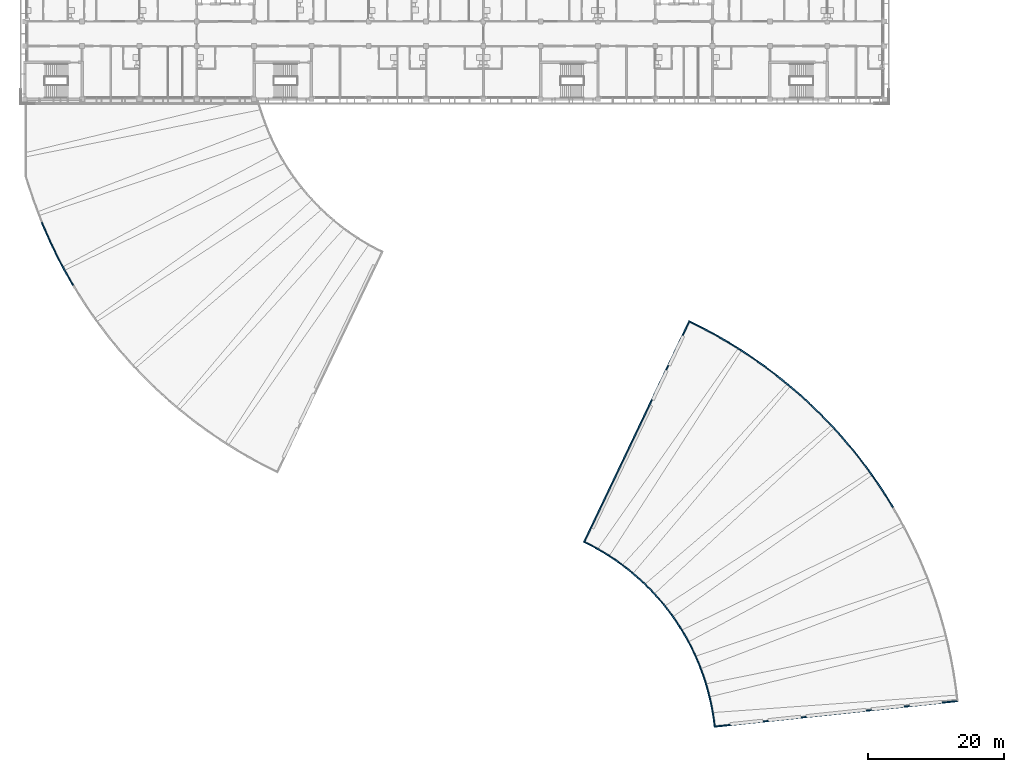
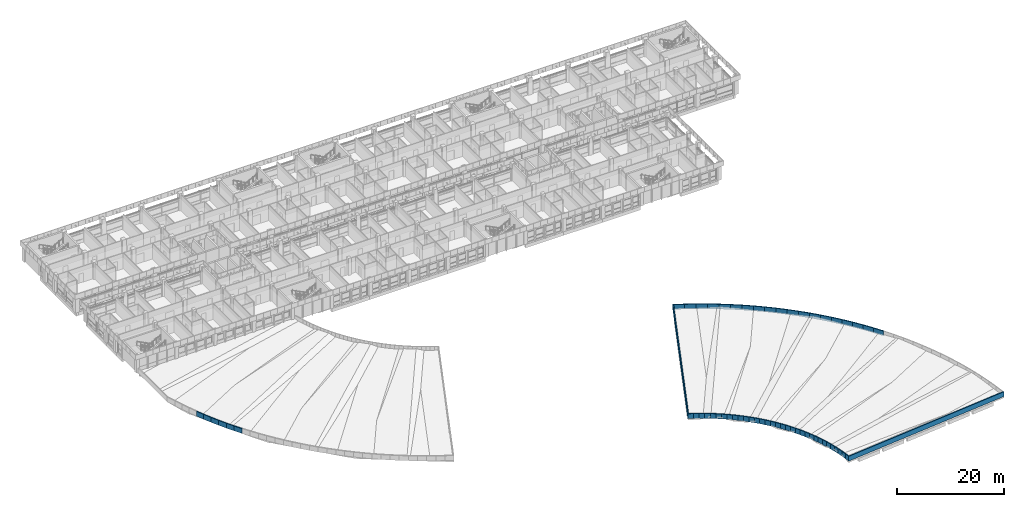
# One storey, part 28 of 74: 60 walls.
"""IFC4 building model written with IfcOpenShell, lengths in metres."""

from ifc_helpers import new_model, si_unit, direction, frame, origin, place, context, subcontext, project, spatial, polyline, outline, extrude, material, layer, layer_set, type_object, element, save


model = new_model("IFC4")

# Units and contexts
model_context = context("Model", 3, precision=1e-05, world=origin(), true_north=direction((0.0, 1.0)))
body_context = subcontext(model_context, "Body", "Model", "MODEL_VIEW")
ifc_project = project(units=[si_unit("LENGTHUNIT", "METRE"), si_unit("AREAUNIT", "SQUARE_METRE"), si_unit("VOLUMEUNIT", "CUBIC_METRE"), si_unit("PLANEANGLEUNIT", "RADIAN"), si_unit("MASSUNIT", "GRAM", prefix="KILO")], contexts=[model_context])

# Site, building, storey
site_placement = place(None, origin())
site = spatial("IfcSite", under=ifc_project, at=site_placement, CompositionType="ELEMENT")
building_placement = place(site_placement, origin())
building = spatial("IfcBuilding", under=site, at=building_placement, Name="Bougainvillea Quay General Hospital", CompositionType="ELEMENT")
storey_placement = place(building_placement, frame((0.0, 0.0, 21.0)))
storey = spatial("IfcBuildingStorey", under=building, at=storey_placement, Name="L04", CompositionType="ELEMENT", Elevation=21.0)

# Walls
ifc_material = material(Name="Concrete C35 upstand, painted white", Category="concrete")
ifc_layer = layer(ifc_material, 0.199951171875)
ifc_layer_set = layer_set([ifc_layer], Name="Concrete C35 upstand, painted white")
wall_type = type_object("IfcWallType", Name="Roof parapet wall 200", PredefinedType="PARAPET", material=ifc_layer_set)
wall_1_placement = place(storey_placement, origin())
element("IfcWall", 1, at=wall_1_placement, inside=storey, type_object=wall_type, Name="Roof parapet 0 48", PredefinedType="PARAPET", context=body_context, shape_type="SweptSolid", body=[
    extrude(outline(polyline([(45.255126953125, 98.01513671875), (45.072021484375, 97.93505859375), (44.402099609375, 99.52001953125), (44.587158203125, 99.595703125), (45.255126953125, 98.01513671875)])), origin(), (0.0, 0.0, 1.0), 1.10009765625),
])
wall_2_placement = place(storey_placement, origin())
element("IfcWall", 2, at=wall_2_placement, inside=storey, type_object=wall_type, Name="Roof parapet 0 49", PredefinedType="PARAPET", context=body_context, shape_type="SweptSolid", body=[
    extrude(outline(polyline([(45.963134765625, 96.45068359375), (45.781982421875, 96.365966796875), (45.072021484375, 97.93505859375), (45.255126953125, 98.01513671875), (45.963134765625, 96.45068359375)])), origin(), (0.0, 0.0, 1.0), 1.10009765625),
])
wall_3_placement = place(storey_placement, origin())
element("IfcWall", 3, at=wall_3_placement, inside=storey, type_object=wall_type, Name="Roof parapet 0 50", PredefinedType="PARAPET", context=body_context, shape_type="SweptSolid", body=[
    extrude(outline(polyline([(46.708984375, 94.905029296875), (46.530029296875, 94.81591796875), (45.781982421875, 96.365966796875), (45.963134765625, 96.45068359375), (46.708984375, 94.905029296875)])), origin(), (0.0, 0.0, 1.0), 1.10009765625),
])
wall_4_placement = place(storey_placement, origin())
element("IfcWall", 4, at=wall_4_placement, inside=storey, type_object=wall_type, Name="Roof parapet 0 51", PredefinedType="PARAPET", context=body_context, shape_type="SweptSolid", body=[
    extrude(outline(polyline([(47.492919921875, 93.37744140625), (47.31591796875, 93.283935546875), (46.530029296875, 94.81591796875), (46.708984375, 94.905029296875), (47.492919921875, 93.37744140625)])), origin(), (0.0, 0.0, 1.0), 1.10009765625),
])
wall_5_placement = place(storey_placement, origin())
element("IfcWall", 5, at=wall_5_placement, inside=storey, type_object=wall_type, Name="Roof parapet 0 52", PredefinedType="PARAPET", context=body_context, shape_type="SweptSolid", body=[
    extrude(outline(polyline([(48.3134765625, 91.869873046875), (48.138916015625, 91.77197265625), (47.31591796875, 93.283935546875), (47.492919921875, 93.37744140625), (48.3134765625, 91.869873046875)])), origin(), (0.0, 0.0, 1.0), 1.10009765625),
])
wall_6_placement = place(storey_placement, origin())
element("IfcWall", 6, at=wall_6_placement, inside=storey, type_object=wall_type, Name="Roof parapet 0 53", PredefinedType="PARAPET", context=body_context, shape_type="SweptSolid", body=[
    extrude(outline(polyline([(49.1708984375, 90.383056640625), (48.9990234375, 90.281005859375), (48.138916015625, 91.77197265625), (48.3134765625, 91.869873046875), (49.1708984375, 90.383056640625)])), origin(), (0.0, 0.0, 1.0), 1.10009765625),
])
wall_7_placement = place(storey_placement, origin())
element("IfcWall", 7, at=wall_7_placement, inside=storey, type_object=wall_type, Name="Roof parapet 1 1", PredefinedType="PARAPET", context=body_context, shape_type="SweptSolid", body=[
    extrude(outline(polyline([(146.79736328125, 80.8095703125), (146.905029296875, 80.97802734375), (148.7109375, 79.782958984375), (148.59814453125, 79.617919921875), (146.79736328125, 80.8095703125)])), origin(), (0.0, 0.0, 1.0), 1.10009765625),
])
wall_8_placement = place(storey_placement, origin())
element("IfcWall", 8, at=wall_8_placement, inside=storey, type_object=wall_type, Name="Roof parapet 1 2", PredefinedType="PARAPET", context=body_context, shape_type="SweptSolid", body=[
    extrude(outline(polyline([(144.95947265625, 81.944091796875), (145.06201171875, 82.115966796875), (146.905029296875, 80.97802734375), (146.79736328125, 80.8095703125), (144.95947265625, 81.944091796875)])), origin(), (0.0, 0.0, 1.0), 1.10009765625),
])
wall_9_placement = place(storey_placement, origin())
element("IfcWall", 9, at=wall_9_placement, inside=storey, type_object=wall_type, Name="Roof parapet 1 3", PredefinedType="PARAPET", context=body_context, shape_type="SweptSolid", body=[
    extrude(outline(polyline([(143.087890625, 83.021240234375), (143.18505859375, 83.196044921875), (145.06201171875, 82.115966796875), (144.95947265625, 81.944091796875), (143.087890625, 83.021240234375)])), origin(), (0.0, 0.0, 1.0), 1.10009765625),
])
wall_10_placement = place(storey_placement, origin())
element("IfcWall", 10, at=wall_10_placement, inside=storey, type_object=wall_type, Name="Roof parapet 1 4", PredefinedType="PARAPET", context=body_context, shape_type="SweptSolid", body=[
    extrude(outline(polyline([(141.184326171875, 84.040283203125), (141.27587890625, 84.218017578125), (143.18505859375, 83.196044921875), (143.087890625, 83.021240234375), (141.184326171875, 84.040283203125)])), origin(), (0.0, 0.0, 1.0), 1.10009765625),
])
wall_11_placement = place(storey_placement, origin())
element("IfcWall", 11, at=wall_11_placement, inside=storey, type_object=wall_type, Name="Roof parapet 1 5", PredefinedType="PARAPET", context=body_context, shape_type="SweptSolid", body=[
    extrude(outline(polyline([(139.428955078125, 84.91162109375), (139.3359375, 85.180908203125), (141.27587890625, 84.218017578125), (141.184326171875, 84.040283203125), (139.428955078125, 84.91162109375)])), origin(), (0.0, 0.0, 1.0), 1.10009765625),
])
wall_12_placement = place(storey_placement, origin())
element("IfcWall", 12, at=wall_12_placement, inside=storey, type_object=wall_type, Name="Roof parapet 1 6", PredefinedType="PARAPET", context=body_context, shape_type="SweptSolid", body=[
    extrude(outline(polyline([(124.102294921875, 52.779541015625), (123.8369140625, 52.68798828125), (139.3359375, 85.180908203125), (139.428955078125, 84.91162109375), (124.102294921875, 52.779541015625)])), origin(), (0.0, 0.0, 1.0), 1.10009765625),
])
wall_13_placement = place(storey_placement, origin())
element("IfcWall", 13, at=wall_13_placement, inside=storey, type_object=wall_type, Name="Roof parapet 1 7", PredefinedType="PARAPET", context=body_context, shape_type="SweptSolid", body=[
    extrude(outline(polyline([(124.87158203125, 52.397705078125), (124.780029296875, 52.219970703125), (123.8369140625, 52.68798828125), (124.102294921875, 52.779541015625), (124.87158203125, 52.397705078125)])), origin(), (0.0, 0.0, 1.0), 1.10009765625),
])
wall_14_placement = place(storey_placement, origin())
element("IfcWall", 14, at=wall_14_placement, inside=storey, type_object=wall_type, Name="Roof parapet 1 8", PredefinedType="PARAPET", context=body_context, shape_type="SweptSolid", body=[
    extrude(outline(polyline([(125.80419921875, 51.89892578125), (125.70703125, 51.72412109375), (124.780029296875, 52.219970703125), (124.87158203125, 52.397705078125), (125.80419921875, 51.89892578125)])), origin(), (0.0, 0.0, 1.0), 1.10009765625),
])
wall_15_placement = place(storey_placement, origin())
element("IfcWall", 15, at=wall_15_placement, inside=storey, type_object=wall_type, Name="Roof parapet 1 9", PredefinedType="PARAPET", context=body_context, shape_type="SweptSolid", body=[
    extrude(outline(polyline([(126.721435546875, 51.370849609375), (126.618896484375, 51.198974609375), (125.70703125, 51.72412109375), (125.80419921875, 51.89892578125), (126.721435546875, 51.370849609375)])), origin(), (0.0, 0.0, 1.0), 1.10009765625),
])
wall_16_placement = place(storey_placement, origin())
element("IfcWall", 16, at=wall_16_placement, inside=storey, type_object=wall_type, Name="Roof parapet 1 10", PredefinedType="PARAPET", context=body_context, shape_type="SweptSolid", body=[
    extrude(outline(polyline([(127.621826171875, 50.814453125), (127.513916015625, 50.64599609375), (126.618896484375, 51.198974609375), (126.721435546875, 51.370849609375), (127.621826171875, 50.814453125)])), origin(), (0.0, 0.0, 1.0), 1.10009765625),
])
wall_17_placement = place(storey_placement, origin())
element("IfcWall", 17, at=wall_17_placement, inside=storey, type_object=wall_type, Name="Roof parapet 1 11", PredefinedType="PARAPET", context=body_context, shape_type="SweptSolid", body=[
    extrude(outline(polyline([(128.50390625, 50.231201171875), (128.39111328125, 50.06591796875), (127.513916015625, 50.64599609375), (127.621826171875, 50.814453125), (128.50390625, 50.231201171875)])), origin(), (0.0, 0.0, 1.0), 1.10009765625),
])
wall_18_placement = place(storey_placement, origin())
element("IfcWall", 18, at=wall_18_placement, inside=storey, type_object=wall_type, Name="Roof parapet 1 12", PredefinedType="PARAPET", context=body_context, shape_type="SweptSolid", body=[
    extrude(outline(polyline([(129.367919921875, 49.62060546875), (129.25, 49.458984375), (128.39111328125, 50.06591796875), (128.50390625, 50.231201171875), (129.367919921875, 49.62060546875)])), origin(), (0.0, 0.0, 1.0), 1.10009765625),
])
wall_19_placement = place(storey_placement, origin())
element("IfcWall", 19, at=wall_19_placement, inside=storey, type_object=wall_type, Name="Roof parapet 1 13", PredefinedType="PARAPET", context=body_context, shape_type="SweptSolid", body=[
    extrude(outline(polyline([(130.212890625, 48.98388671875), (130.090087890625, 48.825927734375), (129.25, 49.458984375), (129.367919921875, 49.62060546875), (130.212890625, 48.98388671875)])), origin(), (0.0, 0.0, 1.0), 1.10009765625),
])
wall_20_placement = place(storey_placement, origin())
element("IfcWall", 20, at=wall_20_placement, inside=storey, type_object=wall_type, Name="Roof parapet 1 14", PredefinedType="PARAPET", context=body_context, shape_type="SweptSolid", body=[
    extrude(outline(polyline([(131.037841796875, 48.31982421875), (130.909912109375, 48.166015625), (130.090087890625, 48.825927734375), (130.212890625, 48.98388671875), (131.037841796875, 48.31982421875)])), origin(), (0.0, 0.0, 1.0), 1.10009765625),
])
wall_21_placement = place(storey_placement, origin())
element("IfcWall", 21, at=wall_21_placement, inside=storey, type_object=wall_type, Name="Roof parapet 1 15", PredefinedType="PARAPET", context=body_context, shape_type="SweptSolid", body=[
    extrude(outline(polyline([(131.84130859375, 47.6318359375), (131.708984375, 47.48193359375), (130.909912109375, 48.166015625), (131.037841796875, 48.31982421875), (131.84130859375, 47.6318359375)])), origin(), (0.0, 0.0, 1.0), 1.10009765625),
])
wall_22_placement = place(storey_placement, origin())
element("IfcWall", 22, at=wall_22_placement, inside=storey, type_object=wall_type, Name="Roof parapet 1 16", PredefinedType="PARAPET", context=body_context, shape_type="SweptSolid", body=[
    extrude(outline(polyline([(132.623046875, 46.919677734375), (132.486083984375, 46.77392578125), (131.708984375, 47.48193359375), (131.84130859375, 47.6318359375), (132.623046875, 46.919677734375)])), origin(), (0.0, 0.0, 1.0), 1.10009765625),
])
wall_23_placement = place(storey_placement, origin())
element("IfcWall", 23, at=wall_23_placement, inside=storey, type_object=wall_type, Name="Roof parapet 1 17", PredefinedType="PARAPET", context=body_context, shape_type="SweptSolid", body=[
    extrude(outline(polyline([(133.383544921875, 46.183349609375), (133.241943359375, 46.0419921875), (132.486083984375, 46.77392578125), (132.623046875, 46.919677734375), (133.383544921875, 46.183349609375)])), origin(), (0.0, 0.0, 1.0), 1.10009765625),
])
wall_24_placement = place(storey_placement, origin())
element("IfcWall", 24, at=wall_24_placement, inside=storey, type_object=wall_type, Name="Roof parapet 1 18", PredefinedType="PARAPET", context=body_context, shape_type="SweptSolid", body=[
    extrude(outline(polyline([(134.119873046875, 45.4228515625), (133.97412109375, 45.285888671875), (133.241943359375, 46.0419921875), (133.383544921875, 46.183349609375), (134.119873046875, 45.4228515625)])), origin(), (0.0, 0.0, 1.0), 1.10009765625),
])
wall_25_placement = place(storey_placement, origin())
element("IfcWall", 25, at=wall_25_placement, inside=storey, type_object=wall_type, Name="Roof parapet 1 19", PredefinedType="PARAPET", context=body_context, shape_type="SweptSolid", body=[
    extrude(outline(polyline([(134.83203125, 44.641357421875), (134.681884765625, 44.509033203125), (133.97412109375, 45.285888671875), (134.119873046875, 45.4228515625), (134.83203125, 44.641357421875)])), origin(), (0.0, 0.0, 1.0), 1.10009765625),
])
wall_26_placement = place(storey_placement, origin())
element("IfcWall", 26, at=wall_26_placement, inside=storey, type_object=wall_type, Name="Roof parapet 1 20", PredefinedType="PARAPET", context=body_context, shape_type="SweptSolid", body=[
    extrude(outline(polyline([(135.52001953125, 43.837646484375), (135.365966796875, 43.7099609375), (134.681884765625, 44.509033203125), (134.83203125, 44.641357421875), (135.52001953125, 43.837646484375)])), origin(), (0.0, 0.0, 1.0), 1.10009765625),
])
wall_27_placement = place(storey_placement, origin())
element("IfcWall", 27, at=wall_27_placement, inside=storey, type_object=wall_type, Name="Roof parapet 1 21", PredefinedType="PARAPET", context=body_context, shape_type="SweptSolid", body=[
    extrude(outline(polyline([(136.183837890625, 43.012939453125), (136.02587890625, 42.889892578125), (135.365966796875, 43.7099609375), (135.52001953125, 43.837646484375), (136.183837890625, 43.012939453125)])), origin(), (0.0, 0.0, 1.0), 1.10009765625),
])
wall_28_placement = place(storey_placement, origin())
element("IfcWall", 28, at=wall_28_placement, inside=storey, type_object=wall_type, Name="Roof parapet 1 22", PredefinedType="PARAPET", context=body_context, shape_type="SweptSolid", body=[
    extrude(outline(polyline([(136.820556640625, 42.16796875), (136.658935546875, 42.050048828125), (136.02587890625, 42.889892578125), (136.183837890625, 43.012939453125), (136.820556640625, 42.16796875)])), origin(), (0.0, 0.0, 1.0), 1.10009765625),
])
wall_29_placement = place(storey_placement, origin())
element("IfcWall", 29, at=wall_29_placement, inside=storey, type_object=wall_type, Name="Roof parapet 1 23", PredefinedType="PARAPET", context=body_context, shape_type="SweptSolid", body=[
    extrude(outline(polyline([(137.43115234375, 41.303955078125), (137.26611328125, 41.19091796875), (136.658935546875, 42.050048828125), (136.820556640625, 42.16796875), (137.43115234375, 41.303955078125)])), origin(), (0.0, 0.0, 1.0), 1.10009765625),
])
wall_30_placement = place(storey_placement, origin())
element("IfcWall", 30, at=wall_30_placement, inside=storey, type_object=wall_type, Name="Roof parapet 1 24", PredefinedType="PARAPET", context=body_context, shape_type="SweptSolid", body=[
    extrude(outline(polyline([(138.014404296875, 40.421630859375), (137.845947265625, 40.31396484375), (137.26611328125, 41.19091796875), (137.43115234375, 41.303955078125), (138.014404296875, 40.421630859375)])), origin(), (0.0, 0.0, 1.0), 1.10009765625),
])
wall_31_placement = place(storey_placement, origin())
element("IfcWall", 31, at=wall_31_placement, inside=storey, type_object=wall_type, Name="Roof parapet 1 25", PredefinedType="PARAPET", context=body_context, shape_type="SweptSolid", body=[
    extrude(outline(polyline([(138.57080078125, 39.521484375), (138.39892578125, 39.4189453125), (137.845947265625, 40.31396484375), (138.014404296875, 40.421630859375), (138.57080078125, 39.521484375)])), origin(), (0.0, 0.0, 1.0), 1.10009765625),
])
wall_32_placement = place(storey_placement, origin())
element("IfcWall", 32, at=wall_32_placement, inside=storey, type_object=wall_type, Name="Roof parapet 1 26", PredefinedType="PARAPET", context=body_context, shape_type="SweptSolid", body=[
    extrude(outline(polyline([(139.098876953125, 38.60400390625), (138.924072265625, 38.507080078125), (138.39892578125, 39.4189453125), (138.57080078125, 39.521484375), (139.098876953125, 38.60400390625)])), origin(), (0.0, 0.0, 1.0), 1.10009765625),
])
wall_33_placement = place(storey_placement, origin())
element("IfcWall", 33, at=wall_33_placement, inside=storey, type_object=wall_type, Name="Roof parapet 1 27", PredefinedType="PARAPET", context=body_context, shape_type="SweptSolid", body=[
    extrude(outline(polyline([(139.597900390625, 37.671630859375), (139.419921875, 37.580078125), (138.924072265625, 38.507080078125), (139.098876953125, 38.60400390625), (139.597900390625, 37.671630859375)])), origin(), (0.0, 0.0, 1.0), 1.10009765625),
])
wall_34_placement = place(storey_placement, origin())
element("IfcWall", 34, at=wall_34_placement, inside=storey, type_object=wall_type, Name="Roof parapet 1 28", PredefinedType="PARAPET", context=body_context, shape_type="SweptSolid", body=[
    extrude(outline(polyline([(140.068603515625, 36.72314453125), (139.887939453125, 36.636962890625), (139.419921875, 37.580078125), (139.597900390625, 37.671630859375), (140.068603515625, 36.72314453125)])), origin(), (0.0, 0.0, 1.0), 1.10009765625),
])
wall_35_placement = place(storey_placement, origin())
element("IfcWall", 35, at=wall_35_placement, inside=storey, type_object=wall_type, Name="Roof parapet 1 29", PredefinedType="PARAPET", context=body_context, shape_type="SweptSolid", body=[
    extrude(outline(polyline([(140.509033203125, 35.761474609375), (140.325927734375, 35.680908203125), (139.887939453125, 36.636962890625), (140.068603515625, 36.72314453125), (140.509033203125, 35.761474609375)])), origin(), (0.0, 0.0, 1.0), 1.10009765625),
])
wall_36_placement = place(storey_placement, origin())
element("IfcWall", 36, at=wall_36_placement, inside=storey, type_object=wall_type, Name="Roof parapet 1 30", PredefinedType="PARAPET", context=body_context, shape_type="SweptSolid", body=[
    extrude(outline(polyline([(140.91943359375, 34.786865234375), (140.73388671875, 34.7119140625), (140.325927734375, 35.680908203125), (140.509033203125, 35.761474609375), (140.91943359375, 34.786865234375)])), origin(), (0.0, 0.0, 1.0), 1.10009765625),
])
wall_37_placement = place(storey_placement, origin())
element("IfcWall", 37, at=wall_37_placement, inside=storey, type_object=wall_type, Name="Roof parapet 1 31", PredefinedType="PARAPET", context=body_context, shape_type="SweptSolid", body=[
    extrude(outline(polyline([(141.2998046875, 33.799072265625), (141.112060546875, 33.72998046875), (140.73388671875, 34.7119140625), (140.91943359375, 34.786865234375), (141.2998046875, 33.799072265625)])), origin(), (0.0, 0.0, 1.0), 1.10009765625),
])
wall_38_placement = place(storey_placement, origin())
element("IfcWall", 38, at=wall_38_placement, inside=storey, type_object=wall_type, Name="Roof parapet 1 32", PredefinedType="PARAPET", context=body_context, shape_type="SweptSolid", body=[
    extrude(outline(polyline([(141.649658203125, 32.80029296875), (141.4599609375, 32.737060546875), (141.112060546875, 33.72998046875), (141.2998046875, 33.799072265625), (141.649658203125, 32.80029296875)])), origin(), (0.0, 0.0, 1.0), 1.10009765625),
])
wall_39_placement = place(storey_placement, origin())
element("IfcWall", 39, at=wall_39_placement, inside=storey, type_object=wall_type, Name="Roof parapet 1 33", PredefinedType="PARAPET", context=body_context, shape_type="SweptSolid", body=[
    extrude(outline(polyline([(141.96875, 31.791259765625), (141.777099609375, 31.73388671875), (141.4599609375, 32.737060546875), (141.649658203125, 32.80029296875), (141.96875, 31.791259765625)])), origin(), (0.0, 0.0, 1.0), 1.10009765625),
])
wall_40_placement = place(storey_placement, origin())
element("IfcWall", 40, at=wall_40_placement, inside=storey, type_object=wall_type, Name="Roof parapet 1 34", PredefinedType="PARAPET", context=body_context, shape_type="SweptSolid", body=[
    extrude(outline(polyline([(142.25537109375, 30.773193359375), (142.06201171875, 30.721923828125), (141.777099609375, 31.73388671875), (141.96875, 31.791259765625), (142.25537109375, 30.773193359375)])), origin(), (0.0, 0.0, 1.0), 1.10009765625),
])
wall_41_placement = place(storey_placement, origin())
element("IfcWall", 41, at=wall_41_placement, inside=storey, type_object=wall_type, Name="Roof parapet 1 35", PredefinedType="PARAPET", context=body_context, shape_type="SweptSolid", body=[
    extrude(outline(polyline([(142.5107421875, 29.746337890625), (142.31591796875, 29.700927734375), (142.06201171875, 30.721923828125), (142.25537109375, 30.773193359375), (142.5107421875, 29.746337890625)])), origin(), (0.0, 0.0, 1.0), 1.10009765625),
])
wall_42_placement = place(storey_placement, origin())
element("IfcWall", 42, at=wall_42_placement, inside=storey, type_object=wall_type, Name="Roof parapet 1 36", PredefinedType="PARAPET", context=body_context, shape_type="SweptSolid", body=[
    extrude(outline(polyline([(142.735107421875, 28.712158203125), (142.5390625, 28.673095703125), (142.31591796875, 29.700927734375), (142.5107421875, 29.746337890625), (142.735107421875, 28.712158203125)])), origin(), (0.0, 0.0, 1.0), 1.10009765625),
])
wall_43_placement = place(storey_placement, origin())
element("IfcWall", 43, at=wall_43_placement, inside=storey, type_object=wall_type, Name="Roof parapet 1 37", PredefinedType="PARAPET", context=body_context, shape_type="SweptSolid", body=[
    extrude(outline(polyline([(142.92626953125, 27.671142578125), (142.72900390625, 27.637939453125), (142.5390625, 28.673095703125), (142.735107421875, 28.712158203125), (142.92626953125, 27.671142578125)])), origin(), (0.0, 0.0, 1.0), 1.10009765625),
])
wall_44_placement = place(storey_placement, origin())
element("IfcWall", 44, at=wall_44_placement, inside=storey, type_object=wall_type, Name="Roof parapet 1 38", PredefinedType="PARAPET", context=body_context, shape_type="SweptSolid", body=[
    extrude(outline(polyline([(143.086181640625, 26.625), (142.887939453125, 26.597900390625), (142.72900390625, 27.637939453125), (142.92626953125, 27.671142578125), (143.086181640625, 26.625)])), origin(), (0.0, 0.0, 1.0), 1.10009765625),
])
wall_45_placement = place(storey_placement, origin())
element("IfcWall", 45, at=wall_45_placement, inside=storey, type_object=wall_type, Name="Roof parapet 1 39", PredefinedType="PARAPET", context=body_context, shape_type="SweptSolid", body=[
    extrude(outline(polyline([(143.18896484375, 25.7734375), (143.013916015625, 25.553955078125), (142.887939453125, 26.597900390625), (143.086181640625, 26.625), (143.18896484375, 25.7734375)])), origin(), (0.0, 0.0, 1.0), 1.10009765625),
])
wall_46_placement = place(storey_placement, origin())
element("IfcWall", 46, at=wall_46_placement, inside=storey, type_object=wall_type, Name="Roof parapet 1 40", PredefinedType="PARAPET", context=body_context, shape_type="SweptSolid", body=[
    extrude(outline(polyline([(178.593994140625, 29.49462890625), (178.81689453125, 29.31689453125), (143.013916015625, 25.553955078125), (143.18896484375, 25.7734375), (178.593994140625, 29.49462890625)])), origin(), (0.0, 0.0, 1.0), 1.10009765625),
])
wall_47_placement = place(storey_placement, origin())
element("IfcWall", 47, at=wall_47_placement, inside=storey, type_object=wall_type, Name="Roof parapet 1 55", PredefinedType="PARAPET", context=body_context, shape_type="SweptSolid", body=[
    extrude(outline(polyline([(168.009521484375, 59.59716796875), (168.177978515625, 59.705078125), (169.31591796875, 57.862060546875), (169.144287109375, 57.759521484375), (168.009521484375, 59.59716796875)])), origin(), (0.0, 0.0, 1.0), 1.10009765625),
])
wall_48_placement = place(storey_placement, origin())
element("IfcWall", 48, at=wall_48_placement, inside=storey, type_object=wall_type, Name="Roof parapet 1 56", PredefinedType="PARAPET", context=body_context, shape_type="SweptSolid", body=[
    extrude(outline(polyline([(166.81787109375, 61.398193359375), (166.98291015625, 61.510986328125), (168.177978515625, 59.705078125), (168.009521484375, 59.59716796875), (166.81787109375, 61.398193359375)])), origin(), (0.0, 0.0, 1.0), 1.10009765625),
])
wall_49_placement = place(storey_placement, origin())
element("IfcWall", 49, at=wall_49_placement, inside=storey, type_object=wall_type, Name="Roof parapet 1 57", PredefinedType="PARAPET", context=body_context, shape_type="SweptSolid", body=[
    extrude(outline(polyline([(165.571533203125, 63.162109375), (165.73291015625, 63.280029296875), (166.98291015625, 61.510986328125), (166.81787109375, 61.398193359375), (165.571533203125, 63.162109375)])), origin(), (0.0, 0.0, 1.0), 1.10009765625),
])
wall_50_placement = place(storey_placement, origin())
element("IfcWall", 50, at=wall_50_placement, inside=storey, type_object=wall_type, Name="Roof parapet 1 58", PredefinedType="PARAPET", context=body_context, shape_type="SweptSolid", body=[
    extrude(outline(polyline([(164.271240234375, 64.885986328125), (164.428955078125, 65.009033203125), (165.73291015625, 63.280029296875), (165.571533203125, 63.162109375), (164.271240234375, 64.885986328125)])), origin(), (0.0, 0.0, 1.0), 1.10009765625),
])
wall_51_placement = place(storey_placement, origin())
element("IfcWall", 51, at=wall_51_placement, inside=storey, type_object=wall_type, Name="Roof parapet 1 59", PredefinedType="PARAPET", context=body_context, shape_type="SweptSolid", body=[
    extrude(outline(polyline([(162.91796875, 66.5693359375), (163.072021484375, 66.697021484375), (164.428955078125, 65.009033203125), (164.271240234375, 64.885986328125), (162.91796875, 66.5693359375)])), origin(), (0.0, 0.0, 1.0), 1.10009765625),
])
wall_52_placement = place(storey_placement, origin())
element("IfcWall", 52, at=wall_52_placement, inside=storey, type_object=wall_type, Name="Roof parapet 1 60", PredefinedType="PARAPET", context=body_context, shape_type="SweptSolid", body=[
    extrude(outline(polyline([(161.51416015625, 68.20947265625), (161.6640625, 68.342041015625), (163.072021484375, 66.697021484375), (162.91796875, 66.5693359375), (161.51416015625, 68.20947265625)])), origin(), (0.0, 0.0, 1.0), 1.10009765625),
])
wall_53_placement = place(storey_placement, origin())
element("IfcWall", 53, at=wall_53_placement, inside=storey, type_object=wall_type, Name="Roof parapet 1 61", PredefinedType="PARAPET", context=body_context, shape_type="SweptSolid", body=[
    extrude(outline(polyline([(160.059326171875, 69.805908203125), (160.205078125, 69.943115234375), (161.6640625, 68.342041015625), (161.51416015625, 68.20947265625), (160.059326171875, 69.805908203125)])), origin(), (0.0, 0.0, 1.0), 1.10009765625),
])
wall_54_placement = place(storey_placement, origin())
element("IfcWall", 54, at=wall_54_placement, inside=storey, type_object=wall_type, Name="Roof parapet 1 62", PredefinedType="PARAPET", context=body_context, shape_type="SweptSolid", body=[
    extrude(outline(polyline([(158.5556640625, 71.35546875), (158.697021484375, 71.4970703125), (160.205078125, 69.943115234375), (160.059326171875, 69.805908203125), (158.5556640625, 71.35546875)])), origin(), (0.0, 0.0, 1.0), 1.10009765625),
])
wall_55_placement = place(storey_placement, origin())
element("IfcWall", 55, at=wall_55_placement, inside=storey, type_object=wall_type, Name="Roof parapet 1 63", PredefinedType="PARAPET", context=body_context, shape_type="SweptSolid", body=[
    extrude(outline(polyline([(157.005859375, 72.859375), (157.14306640625, 73.0048828125), (158.697021484375, 71.4970703125), (158.5556640625, 71.35546875), (157.005859375, 72.859375)])), origin(), (0.0, 0.0, 1.0), 1.10009765625),
])
wall_56_placement = place(storey_placement, origin())
element("IfcWall", 56, at=wall_56_placement, inside=storey, type_object=wall_type, Name="Roof parapet 1 64", PredefinedType="PARAPET", context=body_context, shape_type="SweptSolid", body=[
    extrude(outline(polyline([(155.40966796875, 74.31396484375), (155.5419921875, 74.464111328125), (157.14306640625, 73.0048828125), (157.005859375, 72.859375), (155.40966796875, 74.31396484375)])), origin(), (0.0, 0.0, 1.0), 1.10009765625),
])
wall_57_placement = place(storey_placement, origin())
element("IfcWall", 57, at=wall_57_placement, inside=storey, type_object=wall_type, Name="Roof parapet 1 65", PredefinedType="PARAPET", context=body_context, shape_type="SweptSolid", body=[
    extrude(outline(polyline([(153.769287109375, 75.718017578125), (153.89697265625, 75.8720703125), (155.5419921875, 74.464111328125), (155.40966796875, 74.31396484375), (153.769287109375, 75.718017578125)])), origin(), (0.0, 0.0, 1.0), 1.10009765625),
])
wall_58_placement = place(storey_placement, origin())
element("IfcWall", 58, at=wall_58_placement, inside=storey, type_object=wall_type, Name="Roof parapet 1 66", PredefinedType="PARAPET", context=body_context, shape_type="SweptSolid", body=[
    extrude(outline(polyline([(152.086181640625, 77.0712890625), (152.208984375, 77.22900390625), (153.89697265625, 75.8720703125), (153.769287109375, 75.718017578125), (152.086181640625, 77.0712890625)])), origin(), (0.0, 0.0, 1.0), 1.10009765625),
])
wall_59_placement = place(storey_placement, origin())
element("IfcWall", 59, at=wall_59_placement, inside=storey, type_object=wall_type, Name="Roof parapet 1 67", PredefinedType="PARAPET", context=body_context, shape_type="SweptSolid", body=[
    extrude(outline(polyline([(150.362060546875, 78.371337890625), (150.47998046875, 78.532958984375), (152.208984375, 77.22900390625), (152.086181640625, 77.0712890625), (150.362060546875, 78.371337890625)])), origin(), (0.0, 0.0, 1.0), 1.10009765625),
])
wall_60_placement = place(storey_placement, origin())
element("IfcWall", 60, at=wall_60_placement, inside=storey, type_object=wall_type, Name="Roof parapet 1 68", PredefinedType="PARAPET", context=body_context, shape_type="SweptSolid", body=[
    extrude(outline(polyline([(148.59814453125, 79.617919921875), (148.7109375, 79.782958984375), (150.47998046875, 78.532958984375), (150.362060546875, 78.371337890625), (148.59814453125, 79.617919921875)])), origin(), (0.0, 0.0, 1.0), 1.10009765625),
])

save(model, "model.ifc")
